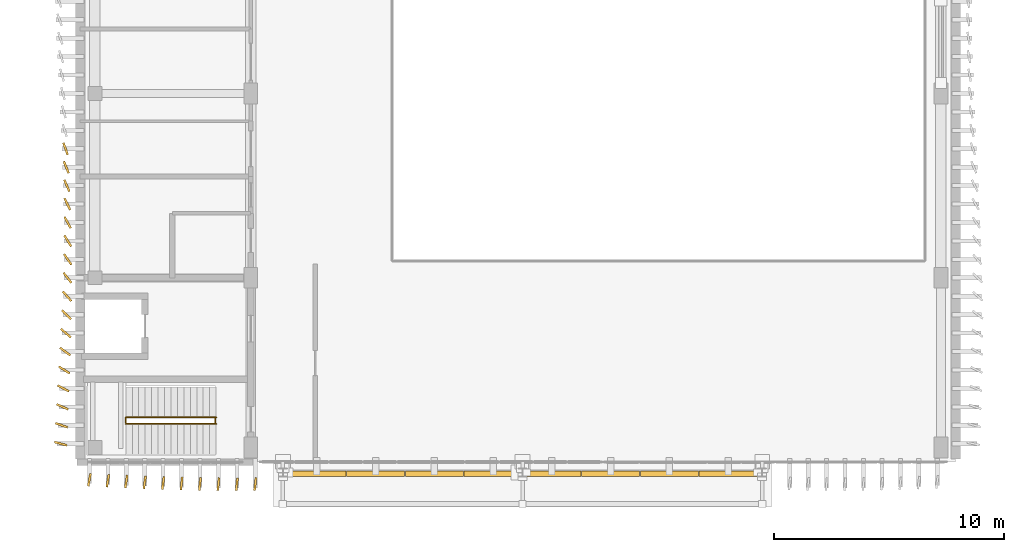
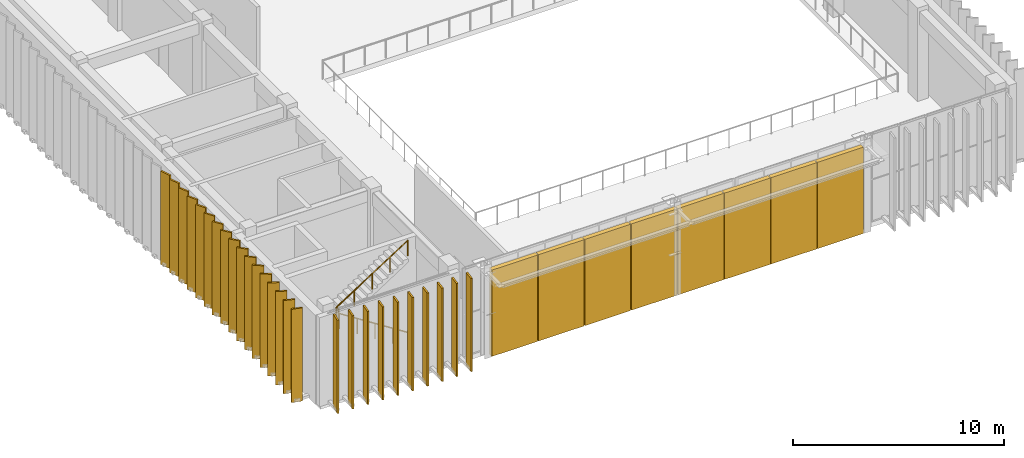
# One storey, part 52 of 64: 35 coverings, 4 railings.
"""IFC4 building model written with IfcOpenShell, lengths in metres."""

from ifc_helpers import new_model, si_unit, direction, frame, origin, origin_2d, place, context, subcontext, project, spatial, rectangle, circle, extrude, material, layer, layer_set, type_object, element, save


model = new_model("IFC4")

# Units and contexts
model_context = context("Model", 3, precision=1e-05, world=origin(), true_north=direction((0.0, 1.0)))
body_context = subcontext(model_context, "Body", "Model", "MODEL_VIEW")
ifc_project = project(units=[si_unit("LENGTHUNIT", "METRE"), si_unit("AREAUNIT", "SQUARE_METRE"), si_unit("VOLUMEUNIT", "CUBIC_METRE"), si_unit("PLANEANGLEUNIT", "RADIAN"), si_unit("MASSUNIT", "GRAM", prefix="KILO")], contexts=[model_context])

# Site, building, storey
site_placement = place(None, origin())
site = spatial("IfcSite", under=ifc_project, at=site_placement, CompositionType="ELEMENT")
building_placement = place(site_placement, origin())
building = spatial("IfcBuilding", under=site, at=building_placement, Name="Cinchona Park Media Centre", CompositionType="ELEMENT")
storey_placement = place(building_placement, frame((0.0, 0.0, 10.199951171875)))
storey = spatial("IfcBuildingStorey", under=building, at=storey_placement, Name="L02", CompositionType="ELEMENT", Elevation=10.199951171875)

# Coverings
ifc_material_1 = material(Name="Anodised Storm-Resistant Aluminium Fin", Category="aluminium")
ifc_layer_1 = layer(ifc_material_1, 0.090087890625)
ifc_layer_set_1 = layer_set([ifc_layer_1], Name="Anodised Storm-Resistant Aluminium Fin")
covering_type_1 = type_object("IfcCoveringType", Name="CLADDING-FIN01", PredefinedType="CLADDING", material=ifc_layer_set_1)
for number, where, z_axis, x_axis, name in (
    (1, (7.364013671875, 21.199951171875, 0.0), (0.0, 0.0, 1.0), (0.336766602676, -0.941588155895, 0.0), "Twisting Vertical Facade Fin L02"),
    (2, (7.39501953125, 20.39990234375, 0.0), (0.0, 0.0, 1.0), (0.368773569362, -0.929519259908, 0.0), "Twisting Vertical Facade Fin L02"),
    (3, (7.4208984375, 19.60009765625, 0.0), (0.0, 0.0, 1.0), (0.403066169295, -0.915170838243, 0.0), "Twisting Vertical Facade Fin L02"),
    (4, (7.44091796875, 18.800048828125, 0.0), (0.0, 0.0, 1.0), (0.439939169856, -0.898027575761, 0.0), "Twisting Vertical Facade Fin L02"),
    (5, (7.4541015625, 18.0, 0.0), (0.0, 0.0, 1.0), (0.479764158979, -0.877397487892, 0.0), "Twisting Vertical Facade Fin L02"),
    (6, (7.4599609375, 17.199951171875, 0.0), (0.0, 0.0, 1.0), (0.522200905326, -0.85282249881, 0.0), "Twisting Vertical Facade Fin L02"),
    (7, (7.4580078125, 16.39990234375, 0.0), (0.0, 0.0, 1.0), (0.567125206934, -0.823631592194, 0.0), "Twisting Vertical Facade Fin L02"),
    (8, (7.447998046875, 15.60009765625, 0.0), (0.0, 0.0, 1.0), (0.613871952452, -0.789405615633, 0.0), "Twisting Vertical Facade Fin L02"),
    (9, (7.431884765625, 14.800048828125, 0.0), (0.0, 0.0, 1.0), (0.661573663187, -0.749880182547, 0.0), "Twisting Vertical Facade Fin L02"),
    (10, (7.408935546875, 14.0, 0.0), (0.0, 0.0, 1.0), (0.70944774386, -0.704758042687, 0.0), "Twisting Vertical Facade Fin L02"),
    (11, (7.3798828125, 13.199951171875, 0.0), (0.0, 0.0, 1.0), (0.756538697576, -0.653948926958, 0.0), "Twisting Vertical Facade Fin L02"),
    (12, (7.345947265625, 12.39990234375, 0.0), (0.0, 0.0, 1.0), (0.801566984871, -0.597904983058, 0.0), "Twisting Vertical Facade Fin L02"),
    (13, (7.30908203125, 11.60009765625, 0.0), (0.0, 0.0, 1.0), (0.843578947371, -0.537005176466, 0.0), "Twisting Vertical Facade Fin L02"),
    (14, (7.27001953125, 10.800048828125, 0.0), (0.0, 0.0, 1.0), (0.881550758248, -0.472089250705, 0.0), "Twisting Vertical Facade Fin L02"),
    (15, (7.22998046875, 10.0, 0.0), (0.0, 0.0, 1.0), (0.914677717139, -0.404183960308, 0.0), "Twisting Vertical Facade Fin L02"),
    (16, (7.19091796875, 9.199951171875, 0.0), (0.0, 0.0, 1.0), (0.942466581022, -0.334300379384, 0.0), "Twisting Vertical Facade Fin L02"),
    (17, (7.154052734375, 8.39990234375, 0.0), (0.0, 0.0, 1.0), (0.964603458302, -0.263704698919, 0.0), "Twisting Vertical Facade Fin L02"),
    (18, (8.39990234375, 6.830078125, 0.0), (0.0, 0.0, 1.0), (0.182578735093, 0.983191235463, 0.0), "Twisting Vertical Facade Fin L02"),
    (19, (9.199951171875, 6.791015625, 0.0), (0.0, 0.0, 1.0), (0.166596655404, 0.98602512869, 0.0), "Twisting Vertical Facade Fin L02"),
    (20, (10.0, 6.75390625, 0.0), (0.0, 0.0, 1.0), (0.151433342672, 0.98846747176, 0.0), "Twisting Vertical Facade Fin L02"),
    (21, (10.800048828125, 6.719970703125, 0.0), (0.0, 0.0, 1.0), (0.137617420457, 0.990485459553, 0.0), "Twisting Vertical Facade Fin L02"),
    (22, (11.60009765625, 6.69091796875, 0.0), (0.0, 0.0, 1.0), (0.125679539283, 0.992070891321, 0.0), "Twisting Vertical Facade Fin L02"),
    (23, (12.39990234375, 6.66796875, 0.0), (0.0, 0.0, 1.0), (0.116150698194, 0.993231602049, 0.0), "Twisting Vertical Facade Fin L02"),
    (24, (13.199951171875, 6.652099609375, 0.0), (0.0, 0.0, 1.0), (0.109213859333, 0.994018275953, 0.0), "Twisting Vertical Facade Fin L02"),
    (25, (14.0, 6.64208984375, 0.0), (0.0, 0.0, 1.0), (0.105396307434, 0.994430298402, 0.0), "Twisting Vertical Facade Fin L02"),
    (26, (14.800048828125, 6.639892578125, 0.0), (0.0, 0.0, 1.0), (0.10470203849, 0.994503636562, 0.0), "Twisting Vertical Facade Fin L02"),
    (27, (15.60009765625, 6.64599609375, 0.0), (0.0, 0.0, 1.0), (0.106958224224, 0.994263515508, 0.0), "Twisting Vertical Facade Fin L02"),
):
    element("IfcCovering", number, at=place(storey_placement, frame(where, z_axis=z_axis, x_axis=x_axis)), inside=storey, type_object=covering_type_1, Name=name, PredefinedType="CLADDING", context=body_context, shape_type="SweptSolid", body=[
        extrude(rectangle(XDim=0.56005859375, YDim=0.090087890625, at=origin_2d()), origin(), (0.0, 0.0, 1.0), 5.39990234375),
    ])
ifc_material_2 = material(Name="Dark Micro-Perforated LED Projection Screen Matrix", Category="aluminium")
ifc_layer_2 = layer(ifc_material_2, 0.239990234375)
ifc_layer_set_2 = layer_set([ifc_layer_2], Name="Dark Micro-Perforated LED Projection Screen Matrix")
covering_type_2 = type_object("IfcCoveringType", Name="CLADDING-SCR01", PredefinedType="CLADDING", material=ifc_layer_set_2)
for number, where, z_axis, x_axis, name in (
    (28, (18.27490234375, 7.10009765625, 0.0), (0.0, 0.0, 1.0), (1.0, 0.0, 0.0), "Entrance Projection Screen Matrix 9"),
    (29, (20.824951171875, 7.10009765625, 0.0), (0.0, 0.0, 1.0), (1.0, 0.0, 0.0), "Entrance Projection Screen Matrix 10"),
    (30, (23.375, 7.10009765625, 0.0), (0.0, 0.0, 1.0), (1.0, 0.0, 0.0), "Entrance Projection Screen Matrix 11"),
    (31, (25.925048828125, 7.10009765625, 0.0), (0.0, 0.0, 1.0), (1.0, 0.0, 0.0), "Entrance Projection Screen Matrix 12"),
    (32, (28.47509765625, 7.10009765625, 0.0), (0.0, 0.0, 1.0), (1.0, 0.0, 0.0), "Entrance Projection Screen Matrix 13"),
    (33, (31.02490234375, 7.10009765625, 0.0), (0.0, 0.0, 1.0), (1.0, 0.0, 0.0), "Entrance Projection Screen Matrix 14"),
    (34, (33.574951171875, 7.10009765625, 0.0), (0.0, 0.0, 1.0), (1.0, 0.0, 0.0), "Entrance Projection Screen Matrix 15"),
    (35, (36.125, 7.10009765625, 0.0), (0.0, 0.0, 1.0), (1.0, 0.0, 0.0), "Entrance Projection Screen Matrix 16"),
):
    element("IfcCovering", number, at=place(storey_placement, frame(where, z_axis=z_axis, x_axis=x_axis)), inside=storey, type_object=covering_type_2, Name=name, PredefinedType="CLADDING", context=body_context, shape_type="SweptSolid", body=[
        extrude(rectangle(XDim=2.510009765625, YDim=0.239990234375, at=origin_2d()), origin(), (0.0, 0.0, 1.0), 5.0),
    ])

# Railings
ifc_material_3 = material(Name="Painted Steel Stairwell Guardrail", Category="steel")
railing_type_1 = type_object("IfcRailingType", Name="RAILING-GR02", PredefinedType="GUARDRAIL", material=ifc_material_3)
for number, where, name in (
    (36, (13.864990234375, 9.320068359375, 0.0), "Stairwell Guardrail GR02 ST6 L02"),
    (37, (9.97998046875, 9.320068359375, 2.699951171875), "Half-Landing Guardrail GR02 ST6 L02"),
):
    element("IfcRailing", number, at=place(storey_placement, frame(where)), inside=storey, type_object=railing_type_1, Name=name, PredefinedType="GUARDRAIL", context=body_context, shape_type="SweptSolid", body=[
        extrude(circle(Radius=0.02392578125, at=origin_2d()), frame((0.0, 0.0, 1.076171875), z_axis=(0.0, 1.0, 0.0), x_axis=(-1.0, 0.0, 0.0)), (0.0, 0.0, 1.0), 0.159912109375),
        extrude(circle(Radius=0.02099609375, at=origin_2d()), origin(), (0.0, 0.0, 1.0), 1.052001953125),
        extrude(circle(Radius=0.02099609375, at=origin_2d()), frame((0.0, 0.159912109375, 0.0)), (0.0, 0.0, 1.0), 1.052001953125),
    ])
ifc_material_4 = material(Name="Brushed Stainless Steel Handrail", Category="steel")
railing_type_2 = type_object("IfcRailingType", Name="RAILING-HR01", PredefinedType="HANDRAIL", material=ifc_material_4)
railing_1_placement = place(storey_placement, frame((13.89990234375, 9.260009765625, 0.179931640625)))
element("IfcRailing", 38, at=railing_1_placement, inside=storey, type_object=railing_type_2, Name="Stair Handrail HR01 ST6 L02 F1", PredefinedType="HANDRAIL", context=body_context, shape_type="SweptSolid", body=[
    extrude(circle(Radius=0.02392578125, at=origin_2d()), frame((0.0, 0.0, 0.8759765625), z_axis=(-0.841171666519, 0.0, 0.540768182723), x_axis=(0.0, -1.0, 0.0)), (0.0, 0.0, 1.0), 4.66015625),
    extrude(circle(Radius=0.02099609375, at=origin_2d()), origin(), (0.0, 0.0, 1.0), 0.851806640625),
    extrude(circle(Radius=0.02099609375, at=origin_2d()), frame((-0.97998046875, 0.0, 0.6298828125)), (0.0, 0.0, 1.0), 0.851806640625),
    extrude(circle(Radius=0.02099609375, at=origin_2d()), frame((-1.9599609375, 0.0, 1.260009765625)), (0.0, 0.0, 1.0), 0.851806640625),
    extrude(circle(Radius=0.02099609375, at=origin_2d()), frame((-2.93994140625, 0.0, 1.89013671875)), (0.0, 0.0, 1.0), 0.851806640625),
    extrude(circle(Radius=0.02099609375, at=origin_2d()), frame((-3.919921875, 0.0, 2.52001953125)), (0.0, 0.0, 1.0), 0.851806640625),
])
railing_2_placement = place(storey_placement, frame((9.97998046875, 9.5400390625, 2.880126953125)))
element("IfcRailing", 39, at=railing_2_placement, inside=storey, type_object=railing_type_2, Name="Stair Handrail HR01 ST6 L02 F2", PredefinedType="HANDRAIL", context=body_context, shape_type="SweptSolid", body=[
    extrude(circle(Radius=0.02392578125, at=origin_2d()), frame((0.0, 0.0, 0.8759765625), z_axis=(0.841171666519, 0.0, 0.540768182723), x_axis=(0.0, 1.0, 0.0)), (0.0, 0.0, 1.0), 4.66015625),
    extrude(circle(Radius=0.02099609375, at=origin_2d()), origin(), (0.0, 0.0, 1.0), 0.851806640625),
    extrude(circle(Radius=0.02099609375, at=origin_2d()), frame((0.97998046875, 0.0, 0.6298828125)), (0.0, 0.0, 1.0), 0.851806640625),
    extrude(circle(Radius=0.02099609375, at=origin_2d()), frame((1.9599609375, 0.0, 1.260009765625)), (0.0, 0.0, 1.0), 0.851806640625),
    extrude(circle(Radius=0.02099609375, at=origin_2d()), frame((2.93994140625, 0.0, 1.89013671875)), (0.0, 0.0, 1.0), 0.851806640625),
    extrude(circle(Radius=0.02099609375, at=origin_2d()), frame((3.919921875, 0.0, 2.52001953125)), (0.0, 0.0, 1.0), 0.851806640625),
])

save(model, "model.ifc")
